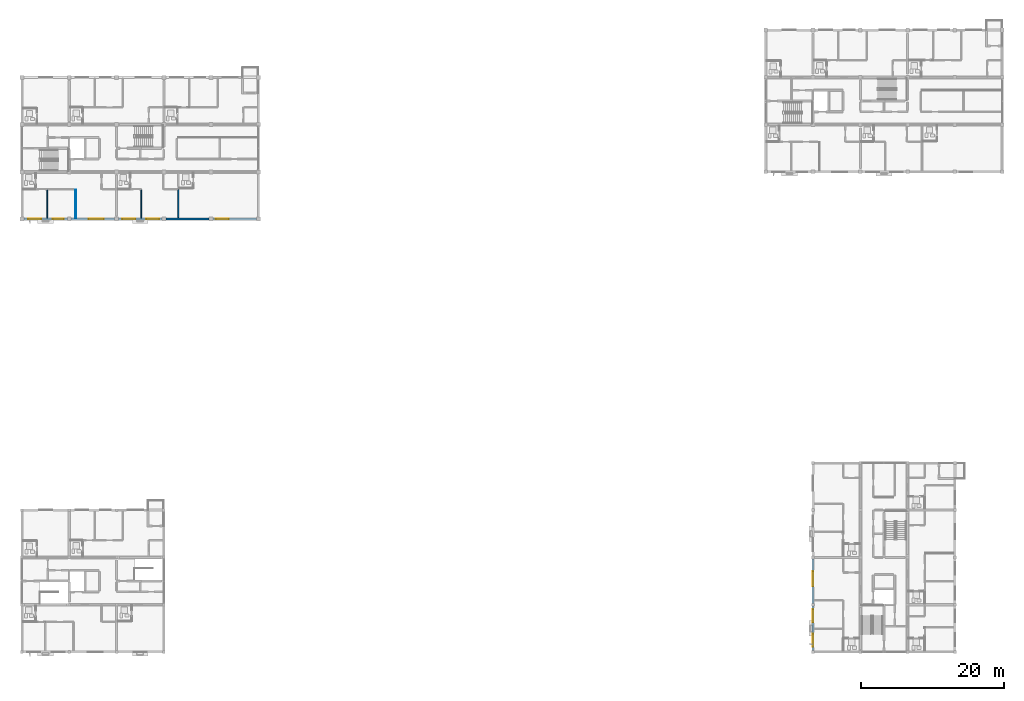
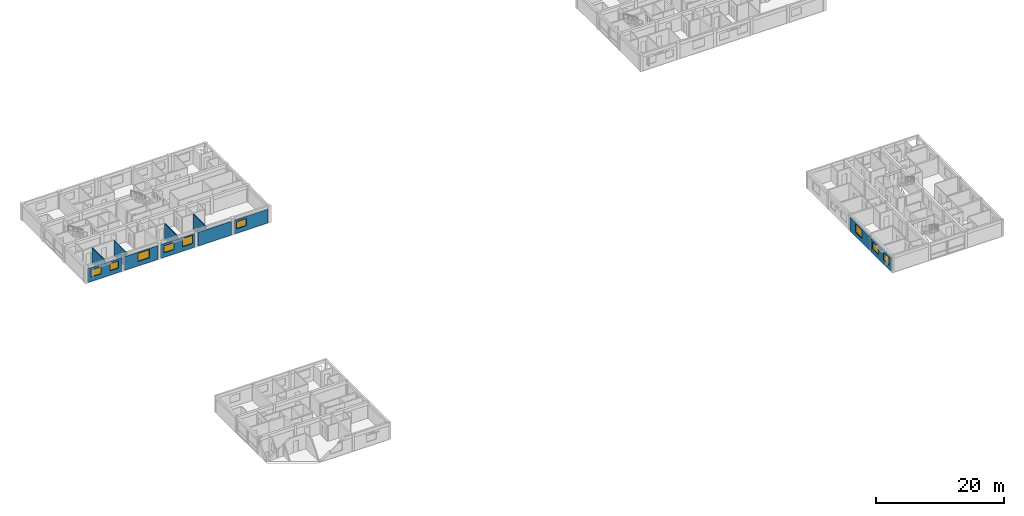
# One storey, part 27 of 49: 11 walls, 9 windows, 9 openings.
"""IFC4 building model written with IfcOpenShell, lengths in metres."""

from ifc_helpers import new_model, si_unit, direction, frame, frame_2d, origin, place, context, subcontext, project, spatial, rectangle, extrude, material, layer, layer_set, type_object, element, fill, save


model = new_model("IFC4")

# Units and contexts
model_context = context("Model", 3, precision=1e-05, world=origin(), true_north=direction((0.0, 1.0)))
body_context = subcontext(model_context, "Body", "Model", "MODEL_VIEW")
ifc_project = project(units=[si_unit("LENGTHUNIT", "METRE"), si_unit("AREAUNIT", "SQUARE_METRE"), si_unit("VOLUMEUNIT", "CUBIC_METRE"), si_unit("PLANEANGLEUNIT", "RADIAN"), si_unit("MASSUNIT", "GRAM", prefix="KILO")], contexts=[model_context])

# Site, building, storey
site_placement = place(None, origin())
site = spatial("IfcSite", under=ifc_project, at=site_placement, CompositionType="ELEMENT")
building_placement = place(site_placement, origin())
building = spatial("IfcBuilding", under=site, at=building_placement, Name="Kernevlak Ridge Housing Community", CompositionType="ELEMENT")
storey_placement = place(building_placement, frame((0.0, 0.0, 30.800048828125)))
storey = spatial("IfcBuildingStorey", under=building, at=storey_placement, Name="L09", CompositionType="ELEMENT", Elevation=30.800048828125)

# Wall, openings, windows
ifc_material_1 = material(Name="Concrete block masonry M10", Category="masonry")
ifc_layer_1 = layer(ifc_material_1, 0.280029296875, Name="Concrete block masonry M10")
ifc_layer_set_1 = layer_set([ifc_layer_1], Name="Concrete block masonry M10")
wall_type_1 = type_object("IfcWallType", Name="EW-03", PredefinedType="STANDARD", material=ifc_layer_set_1)
wall_1_placement = place(storey_placement, frame((15.875, 76.0, 0.0), z_axis=(0.0, 0.0, 1.0), x_axis=(1.0, 0.0, 0.0)))
wall_1 = element("IfcWall", 1, at=wall_1_placement, inside=storey, type_object=wall_type_1, Name="Exterior wall EW-03 L09 141", PredefinedType="STANDARD", context=body_context, shape_type="SweptSolid", body=[
    extrude(rectangle(XDim=6.050048828125, YDim=0.280029296875, at=frame_2d((3.02490234375, 0.0))), origin(), (0.0, 0.0, 1.0), 2.599853515625),
])
opening_1_placement = place(wall_1_placement, frame((0.60009765625, 0.0, 0.85009765625)))
opening_1 = element("IfcOpeningElement", 2, at=opening_1_placement, cuts=wall_1, Name="Opening WT-03", PredefinedType="OPENING", context=body_context, shape_type="SweptSolid", body=[
    extrude(rectangle(XDim=1.800048828125, YDim=1.35009765625, at=frame_2d((0.89990234375, 0.675048828125))), frame((0.0, 0.14990234375, 0.0), z_axis=(0.0, -1.0, 0.0), x_axis=(1.0, 0.0, 0.0)), (0.0, 0.0, 1.0), 0.300048828125),
])
opening_2_placement = place(wall_1_placement, frame((4.02490234375, 0.0, 0.85009765625)))
opening_2 = element("IfcOpeningElement", 3, at=opening_2_placement, cuts=wall_1, Name="Opening WT-02", PredefinedType="OPENING", context=body_context, shape_type="SweptSolid", body=[
    extrude(rectangle(XDim=1.5, YDim=1.35009765625, at=frame_2d((0.75, 0.675048828125))), frame((0.0, 0.14990234375, 0.0), z_axis=(0.0, -1.0, 0.0), x_axis=(1.0, 0.0, 0.0)), (0.0, 0.0, 1.0), 0.300048828125),
])
ifc_material_2 = material(Name="Aluminium EN AW-6060 anodised and laminated glass", Category="aluminium")
window_type_1 = type_object("IfcWindowType", Name="WT-02", PartitioningType="SINGLE_PANEL", PredefinedType="WINDOW", material=ifc_material_2)
window_1_placement = place(opening_2_placement, origin())
window_1 = element("IfcWindow", 4, at=window_1_placement, inside=storey, type_object=window_type_1, Name="Window WT-02 L09 110", OverallHeight=1.35009765625, OverallWidth=1.5, PartitioningType="SINGLE_PANEL", PredefinedType="WINDOW", context=body_context, shape_type="SweptSolid", body=[
    extrude(rectangle(XDim=1.5, YDim=1.35009765625, at=frame_2d((0.75, 0.675048828125))), frame((0.0, 0.030029296875, 0.0), z_axis=(0.0, -1.0, 0.0), x_axis=(1.0, 0.0, 0.0)), (0.0, 0.0, 1.0), 0.06005859375),
])
fill(opening_2, window_1)
window_type_2 = type_object("IfcWindowType", Name="WT-03", PartitioningType="SINGLE_PANEL", PredefinedType="WINDOW", material=ifc_material_2)
window_2_placement = place(opening_1_placement, origin())
window_2 = element("IfcWindow", 5, at=window_2_placement, inside=storey, type_object=window_type_2, Name="Window WT-03 L09 109", OverallHeight=1.35009765625, OverallWidth=1.800048828125, PartitioningType="SINGLE_PANEL", PredefinedType="WINDOW", context=body_context, shape_type="SweptSolid", body=[
    extrude(rectangle(XDim=1.800048828125, YDim=1.35009765625, at=frame_2d((0.89990234375, 0.675048828125))), frame((0.0, 0.030029296875, 0.0), z_axis=(0.0, -1.0, 0.0), x_axis=(1.0, 0.0, 0.0)), (0.0, 0.0, 1.0), 0.06005859375),
])
fill(opening_1, window_2)

# Wall, opening, window
wall_2_placement = place(storey_placement, frame((22.47509765625, 76.0, 0.0), z_axis=(0.0, 0.0, 1.0), x_axis=(1.0, 0.0, 0.0)))
wall_2 = element("IfcWall", 6, at=wall_2_placement, inside=storey, type_object=wall_type_1, Name="Exterior wall EW-03 L09 142", PredefinedType="STANDARD", context=body_context, shape_type="SweptSolid", body=[
    extrude(rectangle(XDim=6.0498046875, YDim=0.280029296875, at=frame_2d((3.02490234375, 0.0))), origin(), (0.0, 0.0, 1.0), 2.599853515625),
])
opening_3_placement = place(wall_2_placement, frame((2.4208984375, 0.0, 0.85009765625)))
opening_3 = element("IfcOpeningElement", 7, at=opening_3_placement, cuts=wall_2, Name="Opening WT-05", PredefinedType="OPENING", context=body_context, shape_type="SweptSolid", body=[
    extrude(rectangle(XDim=2.10009765625, YDim=1.550048828125, at=frame_2d((1.050048828125, 0.77490234375))), frame((0.0, 0.14990234375, 0.0), z_axis=(0.0, -1.0, 0.0), x_axis=(1.0, 0.0, 0.0)), (0.0, 0.0, 1.0), 0.300048828125),
])
window_type_3 = type_object("IfcWindowType", Name="WT-05", PartitioningType="SINGLE_PANEL", PredefinedType="WINDOW", material=ifc_material_2)
window_3_placement = place(opening_3_placement, origin())
window_3 = element("IfcWindow", 8, at=window_3_placement, inside=storey, type_object=window_type_3, Name="Window WT-05 L09 111", OverallHeight=1.550048828125, OverallWidth=2.10009765625, PartitioningType="SINGLE_PANEL", PredefinedType="WINDOW", context=body_context, shape_type="SweptSolid", body=[
    extrude(rectangle(XDim=2.10009765625, YDim=1.550048828125, at=frame_2d((1.050048828125, 0.77490234375))), frame((0.0, 0.030029296875, 0.0), z_axis=(0.0, -1.0, 0.0), x_axis=(1.0, 0.0, 0.0)), (0.0, 0.0, 1.0), 0.06005859375),
])
fill(opening_3, window_3)

# Wall, openings, windows
wall_3_placement = place(storey_placement, frame((29.074951171875, 76.0, 0.0), z_axis=(0.0, 0.0, 1.0), x_axis=(1.0, 0.0, 0.0)))
wall_3 = element("IfcWall", 9, at=wall_3_placement, inside=storey, type_object=wall_type_1, Name="Exterior wall EW-03 L09 143", PredefinedType="STANDARD", context=body_context, shape_type="SweptSolid", body=[
    extrude(rectangle(XDim=6.050048828125, YDim=0.280029296875, at=frame_2d((3.02490234375, 0.0))), origin(), (0.0, 0.0, 1.0), 2.599853515625),
])
opening_4_placement = place(wall_3_placement, frame((0.550048828125, 0.0, 0.85009765625)))
opening_4 = element("IfcOpeningElement", 10, at=opening_4_placement, cuts=wall_3, Name="Opening WT-03", PredefinedType="OPENING", context=body_context, shape_type="SweptSolid", body=[
    extrude(rectangle(XDim=1.800048828125, YDim=1.35009765625, at=frame_2d((0.89990234375, 0.675048828125))), frame((0.0, 0.14990234375, 0.0), z_axis=(0.0, -1.0, 0.0), x_axis=(1.0, 0.0, 0.0)), (0.0, 0.0, 1.0), 0.300048828125),
])
opening_5_placement = place(wall_3_placement, frame((3.875, 0.0, 0.85009765625)))
opening_5 = element("IfcOpeningElement", 11, at=opening_5_placement, cuts=wall_3, Name="Opening WT-04", PredefinedType="OPENING", context=body_context, shape_type="SweptSolid", body=[
    extrude(rectangle(XDim=1.800048828125, YDim=1.550048828125, at=frame_2d((0.89990234375, 0.77490234375))), frame((0.0, 0.14990234375, 0.0), z_axis=(0.0, -1.0, 0.0), x_axis=(1.0, 0.0, 0.0)), (0.0, 0.0, 1.0), 0.300048828125),
])
window_4_placement = place(opening_4_placement, origin())
window_4 = element("IfcWindow", 12, at=window_4_placement, inside=storey, type_object=window_type_2, Name="Window WT-03 L09 112", OverallHeight=1.35009765625, OverallWidth=1.800048828125, PartitioningType="SINGLE_PANEL", PredefinedType="WINDOW", context=body_context, shape_type="SweptSolid", body=[
    extrude(rectangle(XDim=1.800048828125, YDim=1.35009765625, at=frame_2d((0.89990234375, 0.675048828125))), frame((0.0, 0.030029296875, 0.0), z_axis=(0.0, -1.0, 0.0), x_axis=(1.0, 0.0, 0.0)), (0.0, 0.0, 1.0), 0.06005859375),
])
fill(opening_4, window_4)
window_type_4 = type_object("IfcWindowType", Name="WT-04", PartitioningType="SINGLE_PANEL", PredefinedType="WINDOW", material=ifc_material_2)
window_5_placement = place(opening_5_placement, origin())
window_5 = element("IfcWindow", 13, at=window_5_placement, inside=storey, type_object=window_type_4, Name="Window WT-04 L09 113", OverallHeight=1.550048828125, OverallWidth=1.800048828125, PartitioningType="SINGLE_PANEL", PredefinedType="WINDOW", context=body_context, shape_type="SweptSolid", body=[
    extrude(rectangle(XDim=1.800048828125, YDim=1.550048828125, at=frame_2d((0.89990234375, 0.77490234375))), frame((0.0, 0.030029296875, 0.0), z_axis=(0.0, -1.0, 0.0), x_axis=(1.0, 0.0, 0.0)), (0.0, 0.0, 1.0), 0.06005859375),
])
fill(opening_5, window_5)

# Wall
wall_4_placement = place(storey_placement, frame((35.675048828125, 76.0, 0.0), z_axis=(0.0, 0.0, 1.0), x_axis=(1.0, 0.0, 0.0)))
element("IfcWall", 14, at=wall_4_placement, inside=storey, type_object=wall_type_1, Name="Exterior wall EW-03 L09 144", PredefinedType="STANDARD", context=body_context, shape_type="SweptSolid", body=[
    extrude(rectangle(XDim=6.050048828125, YDim=0.280029296875, at=frame_2d((3.02490234375, 0.0))), origin(), (0.0, 0.0, 1.0), 2.599853515625),
])

# Wall, opening, window
wall_5_placement = place(storey_placement, frame((42.27490234375, 76.0, 0.0), z_axis=(0.0, 0.0, 1.0), x_axis=(1.0, 0.0, 0.0)))
wall_5 = element("IfcWall", 15, at=wall_5_placement, inside=storey, type_object=wall_type_1, Name="Exterior wall EW-03 L09 145", PredefinedType="STANDARD", context=body_context, shape_type="SweptSolid", body=[
    extrude(rectangle(XDim=6.050048828125, YDim=0.280029296875, at=frame_2d((3.02490234375, 0.0))), origin(), (0.0, 0.0, 1.0), 2.599853515625),
])
opening_6_placement = place(wall_5_placement, frame((0.375, 0.0, 0.85009765625)))
opening_6 = element("IfcOpeningElement", 16, at=opening_6_placement, cuts=wall_5, Name="Opening WT-03", PredefinedType="OPENING", context=body_context, shape_type="SweptSolid", body=[
    extrude(rectangle(XDim=1.800048828125, YDim=1.35009765625, at=frame_2d((0.89990234375, 0.675048828125))), frame((0.0, 0.14990234375, 0.0), z_axis=(0.0, -1.0, 0.0), x_axis=(1.0, 0.0, 0.0)), (0.0, 0.0, 1.0), 0.300048828125),
])
window_6_placement = place(opening_6_placement, origin())
window_6 = element("IfcWindow", 17, at=window_6_placement, inside=storey, type_object=window_type_2, Name="Window WT-03 L09 114", OverallHeight=1.35009765625, OverallWidth=1.800048828125, PartitioningType="SINGLE_PANEL", PredefinedType="WINDOW", context=body_context, shape_type="SweptSolid", body=[
    extrude(rectangle(XDim=1.800048828125, YDim=1.35009765625, at=frame_2d((0.89990234375, 0.675048828125))), frame((0.0, 0.030029296875, 0.0), z_axis=(0.0, -1.0, 0.0), x_axis=(1.0, 0.0, 0.0)), (0.0, 0.0, 1.0), 0.06005859375),
])
fill(opening_6, window_6)

# Wall, openings, windows
wall_6_placement = place(storey_placement, frame((126.0, 15.800048828125, 0.0), z_axis=(0.0, 0.0, 1.0), x_axis=(0.0, 1.0, 0.0)))
wall_6 = element("IfcWall", 18, at=wall_6_placement, inside=storey, type_object=wall_type_1, Name="Exterior wall EW-03 L09 656", PredefinedType="STANDARD", context=body_context, shape_type="SweptSolid", body=[
    extrude(rectangle(XDim=6.199951171875, YDim=0.280029296875, at=frame_2d((3.10009765625, 0.0))), origin(), (0.0, 0.0, 1.0), 2.599853515625),
])
opening_7_placement = place(wall_6_placement, frame((0.52490234375, 0.0, 0.85009765625)))
opening_7 = element("IfcOpeningElement", 19, at=opening_7_placement, cuts=wall_6, Name="Opening WT-03", PredefinedType="OPENING", context=body_context, shape_type="SweptSolid", body=[
    extrude(rectangle(XDim=1.800048828125, YDim=1.35009765625, at=frame_2d((0.89990234375, 0.675048828125))), frame((0.0, 0.14990234375, 0.0), z_axis=(0.0, -1.0, 0.0), x_axis=(1.0, 0.0, 0.0)), (0.0, 0.0, 1.0), 0.300048828125),
])
opening_8_placement = place(wall_6_placement, frame((3.949951171875, 0.0, 0.85009765625)))
opening_8 = element("IfcOpeningElement", 20, at=opening_8_placement, cuts=wall_6, Name="Opening WT-03", PredefinedType="OPENING", context=body_context, shape_type="SweptSolid", body=[
    extrude(rectangle(XDim=1.800048828125, YDim=1.35009765625, at=frame_2d((0.89990234375, 0.675048828125))), frame((0.0, 0.14990234375, 0.0), z_axis=(0.0, -1.0, 0.0), x_axis=(1.0, 0.0, 0.0)), (0.0, 0.0, 1.0), 0.300048828125),
])
window_7_placement = place(opening_7_placement, origin())
window_7 = element("IfcWindow", 21, at=window_7_placement, inside=storey, type_object=window_type_2, Name="Window WT-03 L09 532", OverallHeight=1.35009765625, OverallWidth=1.800048828125, PartitioningType="SINGLE_PANEL", PredefinedType="WINDOW", context=body_context, shape_type="SweptSolid", body=[
    extrude(rectangle(XDim=1.800048828125, YDim=1.35009765625, at=frame_2d((0.89990234375, 0.675048828125))), frame((0.0, 0.030029296875, 0.0), z_axis=(0.0, -1.0, 0.0), x_axis=(1.0, 0.0, 0.0)), (0.0, 0.0, 1.0), 0.06005859375),
])
fill(opening_7, window_7)
window_8_placement = place(opening_8_placement, origin())
window_8 = element("IfcWindow", 22, at=window_8_placement, inside=storey, type_object=window_type_2, Name="Window WT-03 L09 533", OverallHeight=1.35009765625, OverallWidth=1.800048828125, PartitioningType="SINGLE_PANEL", PredefinedType="WINDOW", context=body_context, shape_type="SweptSolid", body=[
    extrude(rectangle(XDim=1.800048828125, YDim=1.35009765625, at=frame_2d((0.89990234375, 0.675048828125))), frame((0.0, 0.030029296875, 0.0), z_axis=(0.0, -1.0, 0.0), x_axis=(1.0, 0.0, 0.0)), (0.0, 0.0, 1.0), 0.06005859375),
])
fill(opening_8, window_8)

# Wall, opening, window
wall_7_placement = place(storey_placement, frame((126.0, 22.39990234375, 0.0), z_axis=(0.0, 0.0, 1.0), x_axis=(0.0, 1.0, 0.0)))
wall_7 = element("IfcWall", 23, at=wall_7_placement, inside=storey, type_object=wall_type_1, Name="Exterior wall EW-03 L09 657", PredefinedType="STANDARD", context=body_context, shape_type="SweptSolid", body=[
    extrude(rectangle(XDim=6.2001953125, YDim=0.280029296875, at=frame_2d((3.10009765625, 0.0))), origin(), (0.0, 0.0, 1.0), 2.599853515625),
])
opening_9_placement = place(wall_7_placement, frame((2.345947265625, 0.0, 0.85009765625)))
opening_9 = element("IfcOpeningElement", 24, at=opening_9_placement, cuts=wall_7, Name="Opening WT-05", PredefinedType="OPENING", context=body_context, shape_type="SweptSolid", body=[
    extrude(rectangle(XDim=2.10009765625, YDim=1.550048828125, at=frame_2d((1.050048828125, 0.77490234375))), frame((0.0, 0.14990234375, 0.0), z_axis=(0.0, -1.0, 0.0), x_axis=(1.0, 0.0, 0.0)), (0.0, 0.0, 1.0), 0.300048828125),
])
window_9_placement = place(opening_9_placement, origin())
window_9 = element("IfcWindow", 25, at=window_9_placement, inside=storey, type_object=window_type_3, Name="Window WT-05 L09 534", OverallHeight=1.550048828125, OverallWidth=2.10009765625, PartitioningType="SINGLE_PANEL", PredefinedType="WINDOW", context=body_context, shape_type="SweptSolid", body=[
    extrude(rectangle(XDim=2.10009765625, YDim=1.550048828125, at=frame_2d((1.050048828125, 0.77490234375))), frame((0.0, 0.030029296875, 0.0), z_axis=(0.0, -1.0, 0.0), x_axis=(1.0, 0.0, 0.0)), (0.0, 0.0, 1.0), 0.06005859375),
])
fill(opening_9, window_9)

# Walls
ifc_layer_2 = layer(ifc_material_1, 0.175048828125, Name="Concrete block masonry M10")
ifc_layer_set_2 = layer_set([ifc_layer_2], Name="Concrete block masonry M10")
wall_type_2 = type_object("IfcWallType", Name="PW-02", PredefinedType="PARTITIONING", material=ifc_layer_set_2)
wall_8_placement = place(storey_placement, frame((37.39990234375, 80.112548828125, 0.0), z_axis=(0.0, 0.0, 1.0), x_axis=(0.0, -1.0, 0.0)))
element("IfcWall", 26, at=wall_8_placement, inside=storey, type_object=wall_type_2, Name="Interior wall PW-02 WAL-INT-L09-0604-S2", PredefinedType="PARTITIONING", context=body_context, shape_type="SweptSolid", body=[
    extrude(rectangle(XDim=3.882568359375, YDim=0.175048828125, at=frame_2d((1.94140625, 0.0))), origin(), (0.0, 0.0, 1.0), 2.969970703125),
])
ifc_layer_3 = layer(ifc_material_1, 0.14501953125, Name="Concrete block masonry M10")
ifc_layer_set_3 = layer_set([ifc_layer_3], Name="Concrete block masonry M10")
wall_type_3 = type_object("IfcWallType", Name="PW-03", PredefinedType="PARTITIONING", material=ifc_layer_set_3)
for number, where, z_axis, x_axis, name in (
    (27, (19.14990234375, 80.117431640625, 0.0), (0.0, 0.0, 1.0), (0.0, -1.0, 0.0), "Interior wall PW-03 WAL-INT-L09-0594"),
    (28, (32.25, 80.117431640625, 0.0), (0.0, 0.0, 1.0), (0.0, -1.0, 0.0), "Interior wall PW-03 WAL-INT-L09-0603"),
):
    element("IfcWall", number, at=place(storey_placement, frame(where, z_axis=z_axis, x_axis=x_axis)), inside=storey, type_object=wall_type_3, Name=name, PredefinedType="PARTITIONING", context=body_context, shape_type="SweptSolid", body=[
        extrude(rectangle(XDim=3.967529296875, YDim=0.14501953125, at=frame_2d((1.98388671875, 0.0))), origin(), (0.0, 0.0, 1.0), 2.969970703125),
    ])
ifc_material_3 = material(Name="Gypsum plasterboard EN 520", Category="gypsum")
ifc_layer_4 = layer(ifc_material_3, 0.10498046875, Name="Gypsum plasterboard EN 520")
ifc_layer_set_4 = layer_set([ifc_layer_4], Name="Gypsum plasterboard EN 520")
wall_type_4 = type_object("IfcWallType", Name="PW-06", PredefinedType="PARTITIONING", material=ifc_layer_set_4)
wall_9_placement = place(storey_placement, frame((23.092041015625, 80.117431640625, 0.0), z_axis=(0.0, 0.0, 1.0), x_axis=(0.0, -1.0, 0.0)))
element("IfcWall", 29, at=wall_9_placement, inside=storey, type_object=wall_type_4, Name="Interior wall PW-06 WAL-INT-L09-0596", PredefinedType="PARTITIONING", context=body_context, shape_type="SweptSolid", body=[
    extrude(rectangle(XDim=3.967529296875, YDim=0.10498046875, at=frame_2d((1.98388671875, 0.0))), origin(), (0.0, 0.0, 1.0), 2.969970703125),
])

save(model, "model.ifc")
